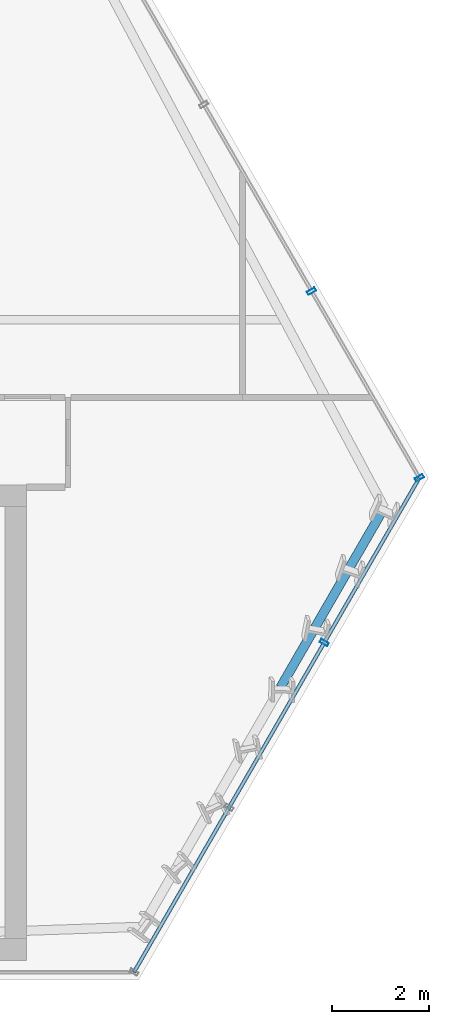
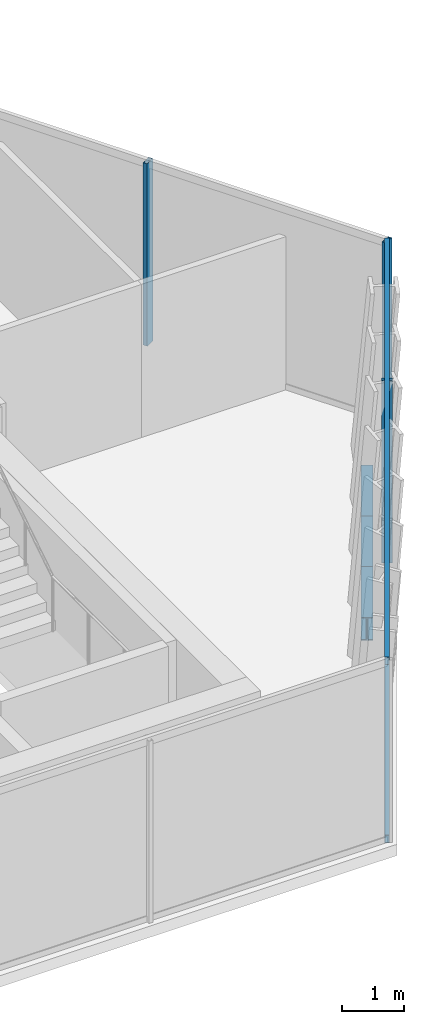
# One storey, part 16 of 31: 5 members, 3 beams, 2 elements without a shape of their own.
"""IFC4 building model written with IfcOpenShell, lengths in metres."""

from ifc_helpers import new_model, si_unit, direction, frame, origin, origin_2d, place, context, subcontext, project, spatial, hollow_rectangle, i_section, extrude, material, layer, layer_set, material_profile, profile_set, type_object, element, aggregate, save


model = new_model("IFC4")

# Units and contexts
model_context = context("Model", 3, precision=1e-05, world=origin(), true_north=direction((0.0, 1.0)))
body_context = subcontext(model_context, "Body", "Model", "MODEL_VIEW")
ifc_project = project(units=[si_unit("LENGTHUNIT", "METRE"), si_unit("AREAUNIT", "SQUARE_METRE"), si_unit("VOLUMEUNIT", "CUBIC_METRE"), si_unit("PLANEANGLEUNIT", "RADIAN"), si_unit("MASSUNIT", "GRAM", prefix="KILO")], contexts=[model_context])

# Site, building, storey
site_placement = place(None, origin())
site = spatial("IfcSite", under=ifc_project, at=site_placement, CompositionType="ELEMENT")
building_placement = place(site_placement, origin())
building = spatial("IfcBuilding", under=site, at=building_placement, Name="Ndaravel Arena Tower", CompositionType="ELEMENT")
storey_placement = place(building_placement, frame((0.0, 0.0, 146.0)))
storey = spatial("IfcBuildingStorey", under=building, at=storey_placement, Name="L34", CompositionType="ELEMENT", Elevation=146.0)

# Beams
ifc_material_1 = material(Name="Steel S355", Category="steel")
ifc_material_profile_1 = material_profile(ifc_material_1, i_section(OverallWidth=0.18994140625, OverallDepth=0.449951171875, WebThickness=0.009521484375, FlangeThickness=0.0146484375, FilletRadius=0.02099609375, at=origin_2d()), Name="IPE 450")
ifc_profile_set_1 = profile_set([ifc_material_profile_1], Name="Steel S355")
beam_type = type_object("IfcBeamType", Name="BM-SPAN-IPE450", PredefinedType="SPANDREL", material=ifc_profile_set_1)
for number, where, z_axis, x_axis, name in (
    (1, (62.77880859375, 11.028076171875, -0.445068359375), (0.499920397431, 0.866071357471, 0.0), (-0.866071357471, 0.499920397431, 0.0), "L34 Perimeter Spandrel Beam SP-06"),
    (2, (63.490478515625, 12.260986328125, -0.445068359375), (0.500049018998, 0.865997100803, 0.0), (-0.865997100803, 0.500049018998, 0.0), "L34 Perimeter Spandrel Beam SP-07"),
    (3, (64.202392578125, 13.493896484375, -0.445068359375), (0.499920397431, 0.866071357471, 0.0), (-0.866071357471, 0.499920397431, 0.0), "L34 Perimeter Spandrel Beam SP-08"),
):
    element("IfcBeam", number, at=place(storey_placement, frame(where, z_axis=z_axis, x_axis=x_axis)), inside=storey, type_object=beam_type, Name=name, PredefinedType="SPANDREL", context=body_context, shape_type="SweptSolid", body=[
        extrude(i_section(OverallWidth=0.18994140625, OverallDepth=0.449951171875, WebThickness=0.009521484375, FlangeThickness=0.0146484375, FilletRadius=0.02099609375, at=origin_2d()), origin(), (0.0, 0.0, 1.0), 1.423583984375),
    ])

# Curtain wall, member
ifc_material_2 = material(Name="Aluminium", Category="aluminium")
ifc_layer_1 = layer(ifc_material_2, 0.179931640625)
ifc_layer_set_1 = layer_set([ifc_layer_1], Name="Aluminium")
curtain_wall_type_1 = type_object("IfcCurtainWallType", Name="CW-SYS-01", PredefinedType="NOTDEFINED", material=ifc_layer_set_1)
curtain_wall_1_placement = place(storey_placement, origin())
curtain_wall_1 = element("IfcCurtainWall", 4, at=curtain_wall_1_placement, inside=storey, type_object=curtain_wall_type_1, Name="L34 Faceted Crystal Curtain Wall CW-L34-E02", PredefinedType="NOTDEFINED")
ifc_material_3 = material(Name="Aluminium", Category="aluminium")
ifc_material_profile_2 = material_profile(ifc_material_3, hollow_rectangle(XDim=0.074951171875, YDim=0.179931640625, WallThickness=0.00390625, at=origin_2d()), Name="CW MULLION 75x180x4")
ifc_profile_set_2 = profile_set([ifc_material_profile_2], Name="Aluminium")
member_type_1 = type_object("IfcMemberType", Name="MEM-CW-MUL180", PredefinedType="MULLION", material=ifc_profile_set_2)
member_1_placement = place(storey_placement, frame((63.6796875, 11.94873046875, 0.0), z_axis=(0.0, 0.0, 1.0), x_axis=(0.5, 0.866025403784, 0.0)))
member_1 = element("IfcMember", 5, at=member_1_placement, type_object=member_type_1, Name="CW-L34-E02 Mullion 02", PredefinedType="MULLION", context=body_context, shape_type="SweptSolid", body=[
    extrude(hollow_rectangle(XDim=0.074951171875, YDim=0.179931640625, WallThickness=0.00390625, at=origin_2d()), origin(), (0.0, 0.0, 1.0), 3.580078125),
])

# Curtain wall, members
ifc_material_4 = material(Name="Aluminium", Category="aluminium")
ifc_layer_2 = layer(ifc_material_4, 0.179931640625)
ifc_layer_set_2 = layer_set([ifc_layer_2], Name="Aluminium")
curtain_wall_type_2 = type_object("IfcCurtainWallType", Name="CW-SYS-03", PredefinedType="NOTDEFINED", material=ifc_layer_set_2)
curtain_wall_2_placement = place(storey_placement, origin())
curtain_wall_2 = element("IfcCurtainWall", 6, at=curtain_wall_2_placement, inside=storey, type_object=curtain_wall_type_2, Name="L34 Faceted Crystal Curtain Wall CW-L34-E03", PredefinedType="NOTDEFINED")
member_2_placement = place(storey_placement, frame((65.639404296875, 15.34326171875, 0.0), z_axis=(0.0, 0.0, 1.0), x_axis=(-0.5, 0.866025403784, 0.0)))
member_2 = element("IfcMember", 7, at=member_2_placement, type_object=member_type_1, Name="CW-L34-E03 Mullion 00", PredefinedType="MULLION", context=body_context, shape_type="SweptSolid", body=[
    extrude(hollow_rectangle(XDim=0.074951171875, YDim=0.179931640625, WallThickness=0.00390625, at=origin_2d()), origin(), (0.0, 0.0, 1.0), 3.580078125),
])
member_3_placement = place(storey_placement, frame((63.41943359375, 19.1884765625, 0.0), z_axis=(0.0, 0.0, 1.0), x_axis=(-0.5, 0.866025403784, 0.0)))
member_3 = element("IfcMember", 8, at=member_3_placement, type_object=member_type_1, Name="CW-L34-E03 Mullion 01", PredefinedType="MULLION", context=body_context, shape_type="SweptSolid", body=[
    extrude(hollow_rectangle(XDim=0.074951171875, YDim=0.179931640625, WallThickness=0.00390625, at=origin_2d()), origin(), (0.0, 0.0, 1.0), 3.580078125),
])
aggregate(curtain_wall_2, [member_2, member_3])

# Member
ifc_material_5 = material(Name="Aluminium", Category="aluminium")
ifc_material_profile_3 = material_profile(ifc_material_5, hollow_rectangle(XDim=0.074951171875, YDim=0.14990234375, WallThickness=0.00390625, at=origin_2d()), Name="CW TRANSOM 75x150x4")
ifc_profile_set_3 = profile_set([ifc_material_profile_3], Name="Aluminium")
member_type_2 = type_object("IfcMemberType", Name="MEM-CW-TRN150", PredefinedType="USERDEFINED", material=ifc_profile_set_3)
member_4_placement = place(storey_placement, frame((59.76025390625, 5.159912109375, 0.0400390625), z_axis=(0.499986653496, 0.866033109255, 0.0), x_axis=(-0.866033109255, 0.499986653496, 0.0)))
member_4 = element("IfcMember", 9, at=member_4_placement, type_object=member_type_2, Name="CW-L34-E02 Transom 01", ObjectType="TRANSOM", PredefinedType="USERDEFINED", context=body_context, shape_type="SweptSolid", body=[
    extrude(hollow_rectangle(XDim=0.074951171875, YDim=0.14990234375, WallThickness=0.00390625, at=origin_2d()), origin(), (0.0, 0.0, 1.0), 11.758544921875),
])

member_5_placement = place(storey_placement, frame((59.76025390625, 5.159912109375, 3.5400390625), z_axis=(0.499986653496, 0.866033109255, 0.0), x_axis=(-0.866033109255, 0.499986653496, 0.0)))
member_5 = element("IfcMember", 10, at=member_5_placement, type_object=member_type_2, Name="CW-L34-E02 Transom 02", ObjectType="TRANSOM", PredefinedType="USERDEFINED", context=body_context, shape_type="SweptSolid", body=[
    extrude(hollow_rectangle(XDim=0.074951171875, YDim=0.14990234375, WallThickness=0.00390625, at=origin_2d()), origin(), (0.0, 0.0, 1.0), 11.758544921875),
])

aggregate(curtain_wall_1, [member_1, member_4, member_5])

save(model, "model.ifc")
